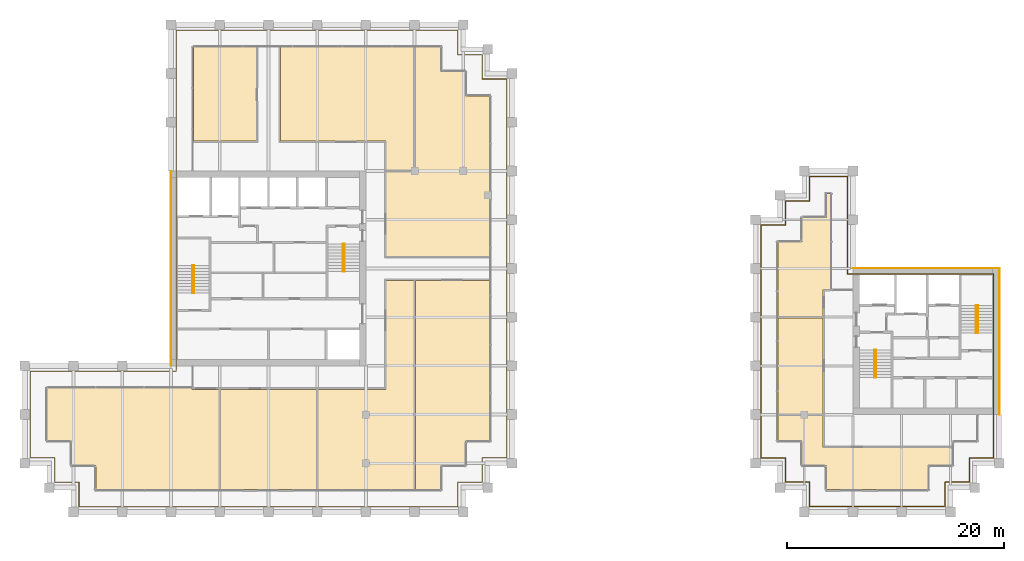
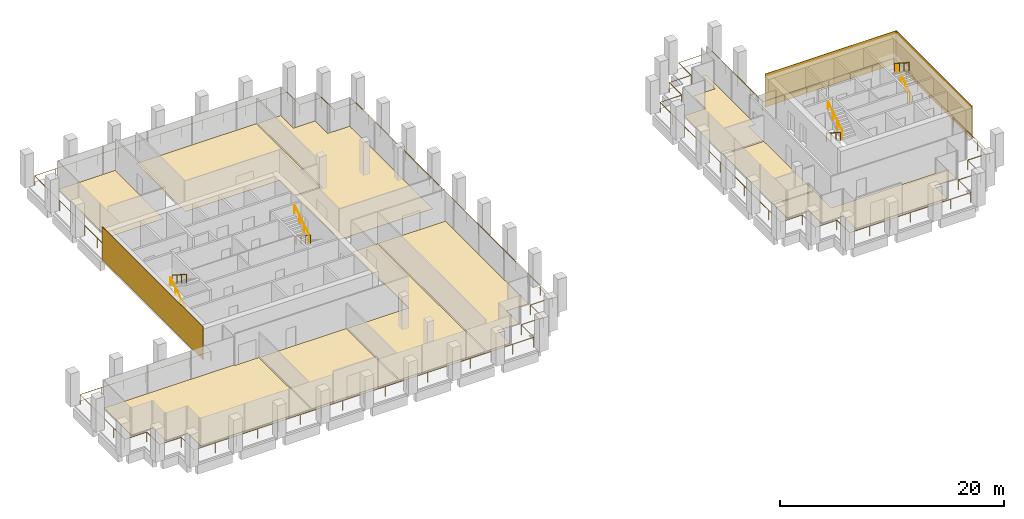
# One storey, part 40 of 40: 13 coverings, 10 railings.
"""IFC4 building model written with IfcOpenShell, lengths in metres."""

from ifc_helpers import new_model, si_unit, direction, frame, origin, origin_2d, place, context, subcontext, project, spatial, polyline, rectangle, circle, outline, extrude, source, transform, mapped, material, layer, layer_set, type_object, element, save


model = new_model("IFC4")

# Units and contexts
model_context = context("Model", 3, precision=1e-05, world=origin(), true_north=direction((0.0, 1.0)))
body_context = subcontext(model_context, "Body", "Model", "MODEL_VIEW")
ifc_project = project(units=[si_unit("LENGTHUNIT", "METRE"), si_unit("AREAUNIT", "SQUARE_METRE"), si_unit("VOLUMEUNIT", "CUBIC_METRE"), si_unit("PLANEANGLEUNIT", "RADIAN"), si_unit("MASSUNIT", "GRAM", prefix="KILO")], contexts=[model_context])

# Site, building, storey
site_placement = place(None, origin())
site = spatial("IfcSite", under=ifc_project, at=site_placement, CompositionType="ELEMENT")
building_placement = place(site_placement, origin())
building = spatial("IfcBuilding", under=site, at=building_placement, Name="Altepetl Exchange Towers", CompositionType="ELEMENT")
storey_placement = place(building_placement, frame((0.0, 0.0, 158.199951171875)))
storey = spatial("IfcBuildingStorey", under=building, at=storey_placement, Name="L39", CompositionType="ELEMENT", Elevation=158.199951171875)

# Coverings
ifc_material_1 = material(Name="Carpet tile")
ifc_layer_1 = layer(ifc_material_1, 0.02001953125)
ifc_layer_set_1 = layer_set([ifc_layer_1], Name="Carpet tile")
covering_type_1 = type_object("IfcCoveringType", Name="Carpet tile floor", PredefinedType="FLOORING", material=ifc_layer_set_1)
covering_1_placement = place(storey_placement, origin())
element("IfcCovering", 1, at=covering_1_placement, inside=storey, type_object=covering_type_1, Name="Interview room floor finish A39.03", PredefinedType="FLOORING", context=body_context, shape_type="SweptSolid", body=[
    extrude(outline(polyline([(62.9375, 29.0625), (62.9375, 48.387451171875), (60.362548828125, 48.387451171875), (60.362548828125, 38.33740234375), (54.0625, 38.33740234375), (54.0625, 29.0625), (62.9375, 29.0625)])), origin(), (0.0, 0.0, 1.0), 0.02001953125),
])
covering_2_placement = place(storey_placement, origin())
element("IfcCovering", 2, at=covering_2_placement, inside=storey, type_object=covering_type_1, Name="Family office floor finish A39.04", PredefinedType="FLOORING", context=body_context, shape_type="SweptSolid", body=[
    extrude(outline(polyline([(67.6875, 33.5625), (69.9375, 33.5625), (69.9375, 48.387451171875), (63.0625, 48.387451171875), (63.0625, 29.0625), (65.4375, 29.0625), (65.4375, 31.3125), (67.6875, 31.3125), (67.6875, 33.5625)])), origin(), (0.0, 0.0, 1.0), 0.02001953125),
])
covering_3_placement = place(storey_placement, origin())
element("IfcCovering", 3, at=covering_3_placement, inside=storey, type_object=covering_type_1, Name="Family office floor finish A39.05", PredefinedType="FLOORING", context=body_context, shape_type="SweptSolid", body=[
    extrude(outline(polyline([(60.362548828125, 50.612548828125), (69.9375, 50.612548828125), (69.9375, 65.4375), (67.6875, 65.4375), (67.6875, 67.6875), (65.4375, 67.6875), (65.4375, 69.9375), (63.0625, 69.9375), (63.0625, 58.4375), (60.362548828125, 58.4375), (60.362548828125, 50.612548828125)])), origin(), (0.0, 0.0, 1.0), 0.02001953125),
])
covering_4_placement = place(storey_placement, origin())
element("IfcCovering", 4, at=covering_4_placement, inside=storey, type_object=covering_type_1, Name="Meeting room floor finish A39.06", PredefinedType="FLOORING", context=body_context, shape_type="SweptSolid", body=[
    extrude(outline(polyline([(60.362548828125, 58.5625), (62.9375, 58.5625), (62.9375, 69.9375), (50.612548828125, 69.9375), (50.612548828125, 61.262451171875), (60.362548828125, 61.262451171875), (60.362548828125, 58.5625)])), origin(), (0.0, 0.0, 1.0), 0.02001953125),
])
covering_5_placement = place(storey_placement, origin())
element("IfcCovering", 5, at=covering_5_placement, inside=storey, type_object=covering_type_1, Name="Pantry floor finish A39.07", PredefinedType="FLOORING", context=body_context, shape_type="SweptSolid", body=[
    extrude(outline(polyline([(42.5625, 61.262451171875), (48.387451171875, 61.262451171875), (48.387451171875, 69.9375), (42.5625, 69.9375), (42.5625, 61.262451171875)])), origin(), (0.0, 0.0, 1.0), 0.02001953125),
])
covering_6_placement = place(storey_placement, origin())
element("IfcCovering", 6, at=covering_6_placement, inside=storey, type_object=covering_type_1, Name="Pantry floor finish B39.01", PredefinedType="FLOORING", context=body_context, shape_type="SweptSolid", body=[
    extrude(outline(polyline([(96.5625, 36.0625), (100.737548828125, 36.0625), (100.737548828125, 44.9375), (96.5625, 44.9375), (96.5625, 36.0625)])), origin(), (0.0, 0.0, 1.0), 0.02001953125),
])
covering_7_placement = place(storey_placement, origin())
element("IfcCovering", 7, at=covering_7_placement, inside=storey, type_object=covering_type_1, Name="Huddle room floor finish B39.03", PredefinedType="FLOORING", context=body_context, shape_type="SweptSolid", body=[
    extrude(outline(polyline([(96.5625, 45.0625), (100.737548828125, 45.0625), (100.737548828125, 47.5625), (101.4375, 47.5625), (101.4375, 56.4375), (101.0625, 56.4375), (101.0625, 54.1875), (98.8125, 54.1875), (98.8125, 51.9375), (96.5625, 51.9375), (96.5625, 45.0625)])), origin(), (0.0, 0.0, 1.0), 0.02001953125),
])
ifc_material_2 = material(Name="Cantera stone", Category="masonry")
ifc_layer_2 = layer(ifc_material_2, 0.030029296875)
ifc_layer_set_2 = layer_set([ifc_layer_2], Name="Cantera stone")
covering_type_2 = type_object("IfcCoveringType", Name="Polished stone floor", PredefinedType="FLOORING", material=ifc_layer_set_2)
covering_8_placement = place(storey_placement, origin())
element("IfcCovering", 8, at=covering_8_placement, inside=storey, type_object=covering_type_2, Name="Library floor finish A39.01", PredefinedType="FLOORING", context=body_context, shape_type="SweptSolid", body=[
    extrude(outline(polyline([(33.5625, 29.0625), (44.9375, 29.0625), (44.9375, 38.33740234375), (42.4375, 38.33740234375), (42.4375, 38.4375), (29.0625, 38.4375), (29.0625, 33.5625), (31.3125, 33.5625), (31.3125, 31.3125), (33.5625, 31.3125), (33.5625, 29.0625)])), origin(), (0.0, 0.0, 1.0), 0.030029296875),
])
covering_9_placement = place(storey_placement, origin())
element("IfcCovering", 9, at=covering_9_placement, inside=storey, type_object=covering_type_2, Name="Lounge floor finish A39.02", PredefinedType="FLOORING", context=body_context, shape_type="SweptSolid", body=[
    extrude(outline(polyline([(45.0625, 38.33740234375), (45.0625, 29.0625), (53.9375, 29.0625), (53.9375, 38.33740234375), (45.0625, 38.33740234375)])), origin(), (0.0, 0.0, 1.0), 0.030029296875),
])
ifc_material_3 = material(Name="Calcium sulphate access floor panel")
ifc_layer_3 = layer(ifc_material_3, 0.0400390625)
ifc_layer_set_3 = layer_set([ifc_layer_3], Name="Calcium sulphate access floor panel")
covering_type_3 = type_object("IfcCoveringType", Name="Raised access floor panels", PredefinedType="FLOORING", material=ifc_layer_set_3)
covering_10_placement = place(storey_placement, origin())
element("IfcCovering", 10, at=covering_10_placement, inside=storey, type_object=covering_type_3, Name="Broker office floor finish B39.02", PredefinedType="FLOORING", context=body_context, shape_type="SweptSolid", body=[
    extrude(outline(polyline([(112.6875, 31.3125), (112.6875, 32.9375), (100.737548828125, 32.9375), (100.737548828125, 35.9375), (96.5625, 35.9375), (96.5625, 33.5625), (98.8125, 33.5625), (98.8125, 31.3125), (101.0625, 31.3125), (101.0625, 29.0625), (110.4375, 29.0625), (110.4375, 31.3125), (112.6875, 31.3125)])), origin(), (0.0, 0.0, 1.0), 0.0400390625),
])
ifc_material_4 = material(Name="Cantera limestone cladding", Category="masonry")
ifc_layer_4 = layer(ifc_material_4, 0.0400390625)
ifc_layer_set_4 = layer_set([ifc_layer_4], Name="Cantera limestone cladding")
covering_type_4 = type_object("IfcCoveringType", Name="Stone panel 40 cantera", PredefinedType="CLADDING", material=ifc_layer_set_4)
covering_11_placement = place(storey_placement, frame((40.47998046875, 49.5, 0.0), z_axis=(0.0, 0.0, 1.0), x_axis=(0.0, -1.0, 0.0)))
element("IfcCovering", 11, at=covering_11_placement, inside=storey, type_object=covering_type_4, Name="Stone cladding panel", PredefinedType="CLADDING", context=body_context, shape_type="SweptSolid", body=[
    extrude(rectangle(XDim=18.0, YDim=0.0400390625, at=origin_2d()), origin(), (0.0, 0.0, 1.0), 3.60009765625),
])
for number, where, z_axis, x_axis, name in (
    (12, (117.02001953125, 42.75, 0.0), (0.0, 0.0, 1.0), (0.0, 1.0, 0.0), "Stone cladding panel"),
    (13, (110.25, 49.52001953125, 0.0), (0.0, 0.0, 1.0), (-1.0, 0.0, 0.0), "Stone cladding panel"),
):
    element("IfcCovering", number, at=place(storey_placement, frame(where, z_axis=z_axis, x_axis=x_axis)), inside=storey, type_object=covering_type_4, Name=name, PredefinedType="CLADDING", context=body_context, shape_type="SweptSolid", body=[
        extrude(rectangle(XDim=13.5, YDim=0.0400390625, at=origin_2d()), origin(), (0.0, 0.0, 1.0), 3.60009765625),
    ])

# Railings
ifc_material_5 = material(Name="Steel S355", Category="steel")
railing_type_1 = type_object("IfcRailingType", Name="Guard 1100 steel posts and rail", PredefinedType="GUARDRAIL", material=ifc_material_5)
shared_shape_1 = source(origin(), body_context, "Body", "SweptSolid", [
    extrude(circle(Radius=0.02099609375, at=origin_2d()), origin(), (0.0, 0.0, 1.0), 1.052001953125),
])
railing_1_placement = place(storey_placement, frame((41.0, 40.0, 0.0)))
element("IfcRailing", 14, at=railing_1_placement, inside=storey, type_object=railing_type_1, Name="Loggia guard", PredefinedType="GUARDRAIL", context=body_context, shape_type="SweptSolid", body=[
    extrude(circle(Radius=0.02392578125, at=origin_2d()), frame((0.0, 0.0, 1.076171875), z_axis=(-1.0, 0.0, 0.0), x_axis=(0.0, -1.0, 0.0)), (0.0, 0.0, 1.0), 13.5),
    extrude(circle(Radius=0.02392578125, at=origin_2d()), frame((-13.5, 0.0, 1.076171875), z_axis=(0.0, -1.0, 0.0), x_axis=(1.0, 0.0, 0.0)), (0.0, 0.0, 1.0), 8.0),
    extrude(circle(Radius=0.02392578125, at=origin_2d()), frame((-13.5, -8.0, 1.076171875), z_axis=(1.0, 0.0, 0.0), x_axis=(0.0, 1.0, 0.0)), (0.0, 0.0, 1.0), 2.25),
    extrude(circle(Radius=0.02392578125, at=origin_2d()), frame((-11.25, -8.0, 1.076171875), z_axis=(0.0, -1.0, 0.0), x_axis=(1.0, 0.0, 0.0)), (0.0, 0.0, 1.0), 2.25),
    extrude(circle(Radius=0.02392578125, at=origin_2d()), frame((-11.25, -10.25, 1.076171875), z_axis=(1.0, 0.0, 0.0), x_axis=(0.0, 1.0, 0.0)), (0.0, 0.0, 1.0), 2.25),
    extrude(circle(Radius=0.02392578125, at=origin_2d()), frame((-9.0, -10.25, 1.076171875), z_axis=(0.0, -1.0, 0.0), x_axis=(1.0, 0.0, 0.0)), (0.0, 0.0, 1.0), 2.25),
    extrude(circle(Radius=0.02392578125, at=origin_2d()), frame((-9.0, -12.5, 1.076171875), z_axis=(1.0, 0.0, 0.0), x_axis=(0.0, 1.0, 0.0)), (0.0, 0.0, 1.0), 35.0),
    extrude(circle(Radius=0.02392578125, at=origin_2d()), frame((26.0, -12.5, 1.076171875), z_axis=(0.0, 1.0, 0.0), x_axis=(-1.0, 0.0, 0.0)), (0.0, 0.0, 1.0), 2.25),
    extrude(circle(Radius=0.02392578125, at=origin_2d()), frame((26.0, -10.25, 1.076171875), z_axis=(1.0, 0.0, 0.0), x_axis=(0.0, 1.0, 0.0)), (0.0, 0.0, 1.0), 2.25),
    extrude(circle(Radius=0.02392578125, at=origin_2d()), frame((28.25, -10.25, 1.076171875), z_axis=(0.0, 1.0, 0.0), x_axis=(-1.0, 0.0, 0.0)), (0.0, 0.0, 1.0), 2.25),
    extrude(circle(Radius=0.02392578125, at=origin_2d()), frame((28.25, -8.0, 1.076171875), z_axis=(1.0, 0.0, 0.0), x_axis=(0.0, 1.0, 0.0)), (0.0, 0.0, 1.0), 2.25),
    extrude(circle(Radius=0.02392578125, at=origin_2d()), frame((30.5, -8.0, 1.076171875), z_axis=(0.0, 1.0, 0.0), x_axis=(-1.0, 0.0, 0.0)), (0.0, 0.0, 1.0), 35.0),
    extrude(circle(Radius=0.02392578125, at=origin_2d()), frame((30.5, 27.0, 1.076171875), z_axis=(-1.0, 0.0, 0.0), x_axis=(0.0, -1.0, 0.0)), (0.0, 0.0, 1.0), 2.25),
    extrude(circle(Radius=0.02392578125, at=origin_2d()), frame((28.25, 27.0, 1.076171875), z_axis=(0.0, 1.0, 0.0), x_axis=(-1.0, 0.0, 0.0)), (0.0, 0.0, 1.0), 2.25),
    extrude(circle(Radius=0.02392578125, at=origin_2d()), frame((28.25, 29.25, 1.076171875), z_axis=(-1.0, 0.0, 0.0), x_axis=(0.0, -1.0, 0.0)), (0.0, 0.0, 1.0), 2.25),
    extrude(circle(Radius=0.02392578125, at=origin_2d()), frame((26.0, 29.25, 1.076171875), z_axis=(0.0, 1.0, 0.0), x_axis=(-1.0, 0.0, 0.0)), (0.0, 0.0, 1.0), 2.25),
    extrude(circle(Radius=0.02392578125, at=origin_2d()), frame((26.0, 31.5, 1.076171875), z_axis=(-1.0, 0.0, 0.0), x_axis=(0.0, -1.0, 0.0)), (0.0, 0.0, 1.0), 26.0),
    extrude(circle(Radius=0.02392578125, at=origin_2d()), frame((0.0, 31.5, 1.076171875), z_axis=(0.0, -1.0, 0.0), x_axis=(1.0, 0.0, 0.0)), (0.0, 0.0, 1.0), 31.39990234375),
    mapped(shared_shape_1, transform((0.0, 0.0, 0.0))),
    mapped(shared_shape_1, transform((-2.25, 0.0, 0.0))),
    mapped(shared_shape_1, transform((-4.5, 0.0, 0.0))),
    mapped(shared_shape_1, transform((-6.75, 0.0, 0.0))),
    mapped(shared_shape_1, transform((-9.0, 0.0, 0.0))),
    mapped(shared_shape_1, transform((-11.25, 0.0, 0.0))),
    mapped(shared_shape_1, transform((-13.5, 0.0, 0.0))),
    mapped(shared_shape_1, transform((-13.5, -2.0, 0.0))),
    mapped(shared_shape_1, transform((-13.5, -4.0, 0.0))),
    mapped(shared_shape_1, transform((-13.5, -6.0, 0.0))),
    mapped(shared_shape_1, transform((-13.5, -8.0, 0.0))),
    mapped(shared_shape_1, transform((-11.25, -8.0, 0.0))),
    mapped(shared_shape_1, transform((-11.25, -10.25, 0.0))),
    mapped(shared_shape_1, transform((-9.0, -10.25, 0.0))),
    mapped(shared_shape_1, transform((-9.0, -12.5, 0.0))),
    mapped(shared_shape_1, transform((-6.8125, -12.5, 0.0))),
    mapped(shared_shape_1, transform((-4.625, -12.5, 0.0))),
    mapped(shared_shape_1, transform((-2.4375, -12.5, 0.0))),
    mapped(shared_shape_1, transform((-0.25, -12.5, 0.0))),
    mapped(shared_shape_1, transform((1.9375, -12.5, 0.0))),
    mapped(shared_shape_1, transform((4.125, -12.5, 0.0))),
    mapped(shared_shape_1, transform((6.3125, -12.5, 0.0))),
    mapped(shared_shape_1, transform((8.5, -12.5, 0.0))),
    mapped(shared_shape_1, transform((10.6875, -12.5, 0.0))),
    mapped(shared_shape_1, transform((12.875, -12.5, 0.0))),
    mapped(shared_shape_1, transform((15.0625, -12.5, 0.0))),
    mapped(shared_shape_1, transform((17.25, -12.5, 0.0))),
    mapped(shared_shape_1, transform((19.4375, -12.5, 0.0))),
    mapped(shared_shape_1, transform((21.625, -12.5, 0.0))),
    mapped(shared_shape_1, transform((23.8125, -12.5, 0.0))),
    mapped(shared_shape_1, transform((26.0, -12.5, 0.0))),
    mapped(shared_shape_1, transform((26.0, -10.25, 0.0))),
    mapped(shared_shape_1, transform((28.25, -10.25, 0.0))),
    mapped(shared_shape_1, transform((28.25, -8.0, 0.0))),
    mapped(shared_shape_1, transform((30.5, -8.0, 0.0))),
    mapped(shared_shape_1, transform((30.5, -5.8125, 0.0))),
    mapped(shared_shape_1, transform((30.5, -3.625, 0.0))),
    mapped(shared_shape_1, transform((30.5, -1.4375, 0.0))),
    mapped(shared_shape_1, transform((30.5, 0.75, 0.0))),
    mapped(shared_shape_1, transform((30.5, 2.9375, 0.0))),
    mapped(shared_shape_1, transform((30.5, 5.125, 0.0))),
    mapped(shared_shape_1, transform((30.5, 7.3125, 0.0))),
    mapped(shared_shape_1, transform((30.5, 9.5, 0.0))),
    mapped(shared_shape_1, transform((30.5, 11.6875, 0.0))),
    mapped(shared_shape_1, transform((30.5, 13.875, 0.0))),
    mapped(shared_shape_1, transform((30.5, 16.0625, 0.0))),
    mapped(shared_shape_1, transform((30.5, 18.25, 0.0))),
    mapped(shared_shape_1, transform((30.5, 20.4375, 0.0))),
    mapped(shared_shape_1, transform((30.5, 22.625, 0.0))),
    mapped(shared_shape_1, transform((30.5, 24.8125, 0.0))),
    mapped(shared_shape_1, transform((30.5, 27.0, 0.0))),
    mapped(shared_shape_1, transform((28.25, 27.0, 0.0))),
    mapped(shared_shape_1, transform((28.25, 29.25, 0.0))),
    mapped(shared_shape_1, transform((26.0, 29.25, 0.0))),
    mapped(shared_shape_1, transform((26.0, 31.5, 0.0))),
    mapped(shared_shape_1, transform((23.833251953125, 31.5, 0.0))),
    mapped(shared_shape_1, transform((21.666748046875, 31.5, 0.0))),
    mapped(shared_shape_1, transform((19.5, 31.5, 0.0))),
    mapped(shared_shape_1, transform((17.333251953125, 31.5, 0.0))),
    mapped(shared_shape_1, transform((15.166748046875, 31.5, 0.0))),
    mapped(shared_shape_1, transform((13.0, 31.5, 0.0))),
    mapped(shared_shape_1, transform((10.833251953125, 31.5, 0.0))),
    mapped(shared_shape_1, transform((8.666748046875, 31.5, 0.0))),
    mapped(shared_shape_1, transform((6.5, 31.5, 0.0))),
    mapped(shared_shape_1, transform((4.333251953125, 31.5, 0.0))),
    mapped(shared_shape_1, transform((2.166748046875, 31.5, 0.0))),
    mapped(shared_shape_1, transform((0.0, 31.5, 0.0))),
    mapped(shared_shape_1, transform((0.0, 29.257080078125, 0.0))),
    mapped(shared_shape_1, transform((0.0, 27.014404296875, 0.0))),
    mapped(shared_shape_1, transform((0.0, 24.771484375, 0.0))),
    mapped(shared_shape_1, transform((0.0, 22.528564453125, 0.0))),
    mapped(shared_shape_1, transform((0.0, 20.28564453125, 0.0))),
    mapped(shared_shape_1, transform((0.0, 18.04296875, 0.0))),
    mapped(shared_shape_1, transform((0.0, 15.800048828125, 0.0))),
    mapped(shared_shape_1, transform((0.0, 13.55712890625, 0.0))),
    mapped(shared_shape_1, transform((0.0, 11.314453125, 0.0))),
    mapped(shared_shape_1, transform((0.0, 9.071533203125, 0.0))),
    mapped(shared_shape_1, transform((0.0, 6.82861328125, 0.0))),
    mapped(shared_shape_1, transform((0.0, 4.585693359375, 0.0))),
    mapped(shared_shape_1, transform((0.0, 2.343017578125, 0.0))),
    mapped(shared_shape_1, transform((0.0, 0.10009765625, 0.0))),
])
railing_2_placement = place(storey_placement, frame((99.5, 27.5, 0.0)))
element("IfcRailing", 15, at=railing_2_placement, inside=storey, type_object=railing_type_1, Name="Loggia guard", PredefinedType="GUARDRAIL", context=body_context, shape_type="SweptSolid", body=[
    extrude(circle(Radius=0.02392578125, at=origin_2d()), frame((0.0, 0.0, 1.076171875), z_axis=(1.0, 0.0, 0.0), x_axis=(0.0, 1.0, 0.0)), (0.0, 0.0, 1.0), 12.5),
    extrude(circle(Radius=0.02392578125, at=origin_2d()), frame((12.5, 0.0, 1.076171875), z_axis=(0.0, 1.0, 0.0), x_axis=(-1.0, 0.0, 0.0)), (0.0, 0.0, 1.0), 2.25),
    extrude(circle(Radius=0.02392578125, at=origin_2d()), frame((12.5, 2.25, 1.076171875), z_axis=(1.0, 0.0, 0.0), x_axis=(0.0, 1.0, 0.0)), (0.0, 0.0, 1.0), 2.25),
    extrude(circle(Radius=0.02392578125, at=origin_2d()), frame((14.75, 2.25, 1.076171875), z_axis=(0.0, 1.0, 0.0), x_axis=(-1.0, 0.0, 0.0)), (0.0, 0.0, 1.0), 2.25),
    extrude(circle(Radius=0.02392578125, at=origin_2d()), frame((14.75, 4.5, 1.076171875), z_axis=(1.0, 0.0, 0.0), x_axis=(0.0, 1.0, 0.0)), (0.0, 0.0, 1.0), 2.25),
    extrude(circle(Radius=0.02392578125, at=origin_2d()), frame((17.0, 4.5, 1.076171875), z_axis=(0.0, 1.0, 0.0), x_axis=(-1.0, 0.0, 0.0)), (0.0, 0.0, 1.0), 17.0),
    extrude(circle(Radius=0.02392578125, at=origin_2d()), frame((17.0, 21.5, 1.076171875), z_axis=(-1.0, 0.0, 0.0), x_axis=(0.0, -1.0, 0.0)), (0.0, 0.0, 1.0), 13.5),
    extrude(circle(Radius=0.02392578125, at=origin_2d()), frame((3.5, 21.5, 1.076171875), z_axis=(0.0, 1.0, 0.0), x_axis=(-1.0, 0.0, 0.0)), (0.0, 0.0, 1.0), 9.0),
    extrude(circle(Radius=0.02392578125, at=origin_2d()), frame((3.5, 30.5, 1.076171875), z_axis=(-1.0, 0.0, 0.0), x_axis=(0.0, -1.0, 0.0)), (0.0, 0.0, 1.0), 3.5),
    extrude(circle(Radius=0.02392578125, at=origin_2d()), frame((0.0, 30.5, 1.076171875), z_axis=(0.0, -1.0, 0.0), x_axis=(1.0, 0.0, 0.0)), (0.0, 0.0, 1.0), 2.25),
    extrude(circle(Radius=0.02392578125, at=origin_2d()), frame((0.0, 28.25, 1.076171875), z_axis=(-1.0, 0.0, 0.0), x_axis=(0.0, -1.0, 0.0)), (0.0, 0.0, 1.0), 2.25),
    extrude(circle(Radius=0.02392578125, at=origin_2d()), frame((-2.25, 28.25, 1.076171875), z_axis=(0.0, -1.0, 0.0), x_axis=(1.0, 0.0, 0.0)), (0.0, 0.0, 1.0), 2.25),
    extrude(circle(Radius=0.02392578125, at=origin_2d()), frame((-2.25, 26.0, 1.076171875), z_axis=(-1.0, 0.0, 0.0), x_axis=(0.0, -1.0, 0.0)), (0.0, 0.0, 1.0), 2.25),
    extrude(circle(Radius=0.02392578125, at=origin_2d()), frame((-4.5, 26.0, 1.076171875), z_axis=(0.0, -1.0, 0.0), x_axis=(1.0, 0.0, 0.0)), (0.0, 0.0, 1.0), 21.5),
    extrude(circle(Radius=0.02392578125, at=origin_2d()), frame((-4.5, 4.5, 1.076171875), z_axis=(1.0, 0.0, 0.0), x_axis=(0.0, 1.0, 0.0)), (0.0, 0.0, 1.0), 2.25),
    extrude(circle(Radius=0.02392578125, at=origin_2d()), frame((-2.25, 4.5, 1.076171875), z_axis=(0.0, -1.0, 0.0), x_axis=(1.0, 0.0, 0.0)), (0.0, 0.0, 1.0), 2.25),
    extrude(circle(Radius=0.02392578125, at=origin_2d()), frame((-2.25, 2.25, 1.076171875), z_axis=(1.0, 0.0, 0.0), x_axis=(0.0, 1.0, 0.0)), (0.0, 0.0, 1.0), 2.25),
    extrude(circle(Radius=0.02392578125, at=origin_2d()), frame((0.0, 2.25, 1.076171875), z_axis=(0.0, -1.0, 0.0), x_axis=(1.0, 0.0, 0.0)), (0.0, 0.0, 1.0), 2.14990234375),
    mapped(shared_shape_1, transform((0.0, 0.0, 0.0))),
    mapped(shared_shape_1, transform((2.083251953125, 0.0, 0.0))),
    mapped(shared_shape_1, transform((4.166748046875, 0.0, 0.0))),
    mapped(shared_shape_1, transform((6.25, 0.0, 0.0))),
    mapped(shared_shape_1, transform((8.333251953125, 0.0, 0.0))),
    mapped(shared_shape_1, transform((10.416748046875, 0.0, 0.0))),
    mapped(shared_shape_1, transform((12.5, 0.0, 0.0))),
    mapped(shared_shape_1, transform((12.5, 2.25, 0.0))),
    mapped(shared_shape_1, transform((14.75, 2.25, 0.0))),
    mapped(shared_shape_1, transform((14.75, 4.5, 0.0))),
    mapped(shared_shape_1, transform((17.0, 4.5, 0.0))),
    mapped(shared_shape_1, transform((17.0, 6.625, 0.0))),
    mapped(shared_shape_1, transform((17.0, 8.75, 0.0))),
    mapped(shared_shape_1, transform((17.0, 10.875, 0.0))),
    mapped(shared_shape_1, transform((17.0, 13.0, 0.0))),
    mapped(shared_shape_1, transform((17.0, 15.125, 0.0))),
    mapped(shared_shape_1, transform((17.0, 17.25, 0.0))),
    mapped(shared_shape_1, transform((17.0, 19.375, 0.0))),
    mapped(shared_shape_1, transform((17.0, 21.5, 0.0))),
    mapped(shared_shape_1, transform((14.75, 21.5, 0.0))),
    mapped(shared_shape_1, transform((12.5, 21.5, 0.0))),
    mapped(shared_shape_1, transform((10.25, 21.5, 0.0))),
    mapped(shared_shape_1, transform((8.0, 21.5, 0.0))),
    mapped(shared_shape_1, transform((5.75, 21.5, 0.0))),
    mapped(shared_shape_1, transform((3.5, 21.5, 0.0))),
    mapped(shared_shape_1, transform((3.5, 23.75, 0.0))),
    mapped(shared_shape_1, transform((3.5, 26.0, 0.0))),
    mapped(shared_shape_1, transform((3.5, 28.25, 0.0))),
    mapped(shared_shape_1, transform((3.5, 30.5, 0.0))),
    mapped(shared_shape_1, transform((1.75, 30.5, 0.0))),
    mapped(shared_shape_1, transform((0.0, 30.5, 0.0))),
    mapped(shared_shape_1, transform((0.0, 28.25, 0.0))),
    mapped(shared_shape_1, transform((-2.25, 28.25, 0.0))),
    mapped(shared_shape_1, transform((-2.25, 26.0, 0.0))),
    mapped(shared_shape_1, transform((-4.5, 26.0, 0.0))),
    mapped(shared_shape_1, transform((-4.5, 23.85009765625, 0.0))),
    mapped(shared_shape_1, transform((-4.5, 21.699951171875, 0.0))),
    mapped(shared_shape_1, transform((-4.5, 19.550048828125, 0.0))),
    mapped(shared_shape_1, transform((-4.5, 17.39990234375, 0.0))),
    mapped(shared_shape_1, transform((-4.5, 15.25, 0.0))),
    mapped(shared_shape_1, transform((-4.5, 13.10009765625, 0.0))),
    mapped(shared_shape_1, transform((-4.5, 10.949951171875, 0.0))),
    mapped(shared_shape_1, transform((-4.5, 8.800048828125, 0.0))),
    mapped(shared_shape_1, transform((-4.5, 6.64990234375, 0.0))),
    mapped(shared_shape_1, transform((-4.5, 4.5, 0.0))),
    mapped(shared_shape_1, transform((-2.25, 4.5, 0.0))),
    mapped(shared_shape_1, transform((-2.25, 2.25, 0.0))),
    mapped(shared_shape_1, transform((0.0, 2.25, 0.0))),
    mapped(shared_shape_1, transform((0.0, 0.10009765625, 0.0))),
])
ifc_material_6 = material(Name="Steel", Category="steel")
railing_type_2 = type_object("IfcRailingType", Name="Stair handrail 50 steel tube", PredefinedType="HANDRAIL", material=ifc_material_6)
shared_shape_2 = source(origin(), body_context, "Body", "SweptSolid", [
    extrude(circle(Radius=0.02099609375, at=origin_2d()), origin(), (0.0, 0.0, 1.0), 0.851806640625),
])
railing_3_placement = place(storey_placement, frame((42.469970703125, 47.25, 0.179931640625)))
element("IfcRailing", 16, at=railing_3_placement, inside=storey, type_object=railing_type_2, Name="Stair handrail", PredefinedType="HANDRAIL", context=body_context, shape_type="SweptSolid", body=[
    extrude(circle(Radius=0.02392578125, at=origin_2d()), frame((0.0, 0.0, 0.8759765625), z_axis=(0.0, 0.841162588446, 0.540782303519), x_axis=(-1.0, 0.0, 0.0)), (0.0, 0.0, 1.0), 2.995849609375),
    mapped(shared_shape_2, transform((0.0, 0.0, 0.0))),
    mapped(shared_shape_2, transform((0.0, 0.840087890625, 0.5400390625))),
    mapped(shared_shape_2, transform((0.0, 1.679931640625, 1.080078125))),
    mapped(shared_shape_2, transform((0.0, 2.52001953125, 1.6201171875))),
])
for number, where, name in (
    (17, (42.6298828125, 49.77001953125, 1.97998046875), "Stair handrail"),
    (18, (56.530029296875, 51.75, 0.179931640625), "Stair handrail"),
):
    element("IfcRailing", number, at=place(storey_placement, frame(where)), inside=storey, type_object=railing_type_2, Name=name, PredefinedType="HANDRAIL", context=body_context, shape_type="SweptSolid", body=[
        extrude(circle(Radius=0.02392578125, at=origin_2d()), frame((0.0, 0.0, 0.8759765625), z_axis=(0.0, -0.841162588446, 0.540782303519), x_axis=(1.0, 0.0, 0.0)), (0.0, 0.0, 1.0), 2.995849609375),
        mapped(shared_shape_2, transform((0.0, 0.0, 0.0))),
        mapped(shared_shape_2, transform((0.0, -0.840087890625, 0.5400390625))),
        mapped(shared_shape_2, transform((0.0, -1.679931640625, 1.080078125))),
        mapped(shared_shape_2, transform((0.0, -2.52001953125, 1.6201171875))),
    ])
railing_4_placement = place(storey_placement, frame((56.3701171875, 49.22998046875, 1.97998046875)))
element("IfcRailing", 19, at=railing_4_placement, inside=storey, type_object=railing_type_2, Name="Stair handrail", PredefinedType="HANDRAIL", context=body_context, shape_type="SweptSolid", body=[
    extrude(circle(Radius=0.02392578125, at=origin_2d()), frame((0.0, 0.0, 0.8759765625), z_axis=(0.0, 0.841162588446, 0.540782303519), x_axis=(-1.0, 0.0, 0.0)), (0.0, 0.0, 1.0), 2.995849609375),
    mapped(shared_shape_2, transform((0.0, 0.0, 0.0))),
    mapped(shared_shape_2, transform((0.0, 0.840087890625, 0.5400390625))),
    mapped(shared_shape_2, transform((0.0, 1.679931640625, 1.080078125))),
    mapped(shared_shape_2, transform((0.0, 2.52001953125, 1.6201171875))),
])
railing_5_placement = place(storey_placement, frame((105.469970703125, 41.949951171875, 0.179931640625)))
element("IfcRailing", 20, at=railing_5_placement, inside=storey, type_object=railing_type_2, Name="Stair handrail", PredefinedType="HANDRAIL", context=body_context, shape_type="SweptSolid", body=[
    extrude(circle(Radius=0.02392578125, at=origin_2d()), frame((0.0, 0.0, 0.8759765625), z_axis=(0.0, -0.841162588446, 0.540782303519), x_axis=(1.0, 0.0, 0.0)), (0.0, 0.0, 1.0), 2.995849609375),
    mapped(shared_shape_2, transform((0.0, 0.0, 0.0))),
    mapped(shared_shape_2, transform((0.0, -0.840087890625, 0.5400390625))),
    mapped(shared_shape_2, transform((0.0, -1.679931640625, 1.080078125))),
    mapped(shared_shape_2, transform((0.0, -2.52001953125, 1.6201171875))),
])
for number, where, name in (
    (21, (105.6298828125, 39.429931640625, 1.97998046875), "Stair handrail"),
    (22, (115.030029296875, 43.550048828125, 0.179931640625), "Stair handrail"),
):
    element("IfcRailing", number, at=place(storey_placement, frame(where)), inside=storey, type_object=railing_type_2, Name=name, PredefinedType="HANDRAIL", context=body_context, shape_type="SweptSolid", body=[
        extrude(circle(Radius=0.02392578125, at=origin_2d()), frame((0.0, 0.0, 0.8759765625), z_axis=(0.0, 0.841162588446, 0.540782303519), x_axis=(-1.0, 0.0, 0.0)), (0.0, 0.0, 1.0), 2.995849609375),
        mapped(shared_shape_2, transform((0.0, 0.0, 0.0))),
        mapped(shared_shape_2, transform((0.0, 0.840087890625, 0.5400390625))),
        mapped(shared_shape_2, transform((0.0, 1.679931640625, 1.080078125))),
        mapped(shared_shape_2, transform((0.0, 2.52001953125, 1.6201171875))),
    ])
railing_6_placement = place(storey_placement, frame((114.8701171875, 46.070068359375, 1.97998046875)))
element("IfcRailing", 23, at=railing_6_placement, inside=storey, type_object=railing_type_2, Name="Stair handrail", PredefinedType="HANDRAIL", context=body_context, shape_type="SweptSolid", body=[
    extrude(circle(Radius=0.02392578125, at=origin_2d()), frame((0.0, 0.0, 0.8759765625), z_axis=(0.0, -0.841162588446, 0.540782303519), x_axis=(1.0, 0.0, 0.0)), (0.0, 0.0, 1.0), 2.995849609375),
    mapped(shared_shape_2, transform((0.0, 0.0, 0.0))),
    mapped(shared_shape_2, transform((0.0, -0.840087890625, 0.5400390625))),
    mapped(shared_shape_2, transform((0.0, -1.679931640625, 1.080078125))),
    mapped(shared_shape_2, transform((0.0, -2.52001953125, 1.6201171875))),
])

save(model, "model.ifc")
